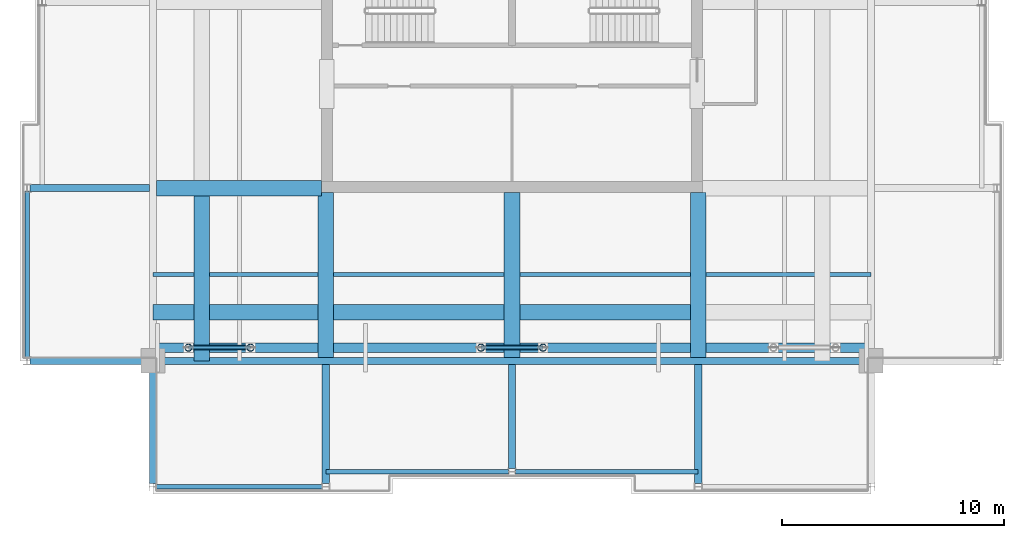
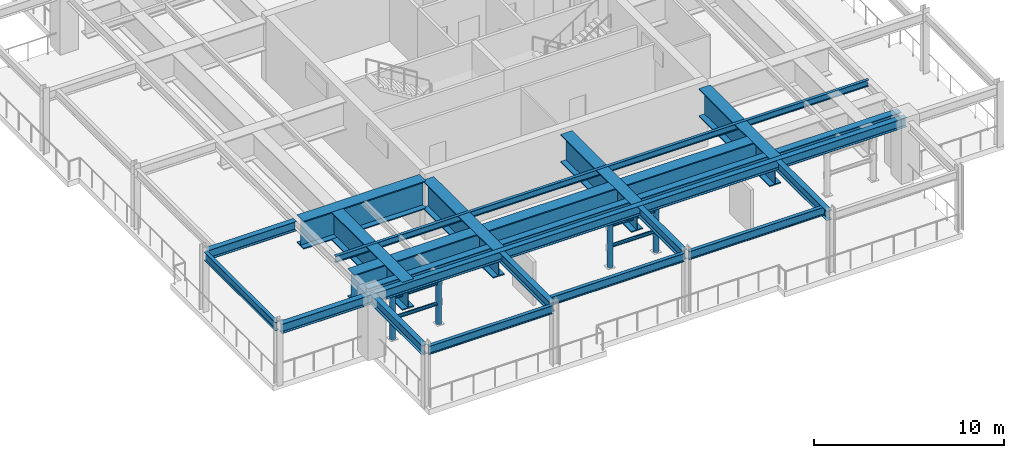
# One storey, part 4 of 12: 21 beams, 8 members.
"""IFC4 building model written with IfcOpenShell, lengths in metres."""

from ifc_helpers import new_model, si_unit, direction, frame, origin, origin_2d, place, context, subcontext, project, spatial, hollow_circle, i_section, extrude, material, material_profile, profile_set, type_object, element, save


model = new_model("IFC4")

# Units and contexts
model_context = context("Model", 3, precision=1e-05, world=origin(), true_north=direction((0.0, 1.0)))
body_context = subcontext(model_context, "Body", "Model", "MODEL_VIEW")
ifc_project = project(units=[si_unit("LENGTHUNIT", "METRE"), si_unit("AREAUNIT", "SQUARE_METRE"), si_unit("VOLUMEUNIT", "CUBIC_METRE"), si_unit("PLANEANGLEUNIT", "RADIAN"), si_unit("MASSUNIT", "GRAM", prefix="KILO")], contexts=[model_context])

# Site, building, storey
site_placement = place(None, origin())
site = spatial("IfcSite", under=ifc_project, at=site_placement, CompositionType="ELEMENT")
building_placement = place(site_placement, origin())
building = spatial("IfcBuilding", under=site, at=building_placement, Name="Drelvath Grand Hotel", CompositionType="ELEMENT")
storey_placement = place(building_placement, frame((0.0, 0.0, 307.199951171875)))
storey = spatial("IfcBuildingStorey", under=building, at=storey_placement, Name="L80", CompositionType="ELEMENT", Elevation=307.199951171875)

# Beams
ifc_material_1 = material(Name="Steel ASTM A572 Gr 50", Category="steel")
ifc_material_profile_1 = material_profile(ifc_material_1, i_section(OverallWidth=0.699951171875, OverallDepth=1.800048828125, WebThickness=0.035888671875, FlangeThickness=0.06494140625, at=origin_2d()), Name="PG1800X700")
ifc_profile_set_1 = profile_set([ifc_material_profile_1], Name="Steel ASTM A572 Gr 50")
beam_type_1 = type_object("IfcBeamType", Name="Built-Up Transfer Girder PG1800X700", PredefinedType="BEAM", material=ifc_profile_set_1)
for number, where, z_axis, x_axis, name in (
    (1, (-14.0, 10.800048828125, 2.97998046875), (0.0, 1.0, 0.0), (-1.0, 0.0, 0.0), "L80 Crown Drum Transfer Girder West 1"),
    (2, (-16.199951171875, 13.0, 2.97998046875), (1.0, 0.0, 0.0), (0.0, 1.0, 0.0), "L80 Crown Drum Transfer Girder South 1"),
):
    element("IfcBeam", number, at=place(storey_placement, frame(where, z_axis=z_axis, x_axis=x_axis)), inside=storey, type_object=beam_type_1, Name=name, PredefinedType="BEAM", context=body_context, shape_type="SweptSolid", body=[
        extrude(i_section(OverallWidth=0.699951171875, OverallDepth=1.800048828125, WebThickness=0.035888671875, FlangeThickness=0.06494140625, at=origin_2d()), origin(), (0.0, 0.0, 1.0), 7.800048828125),
    ])
for number, where, z_axis, x_axis, name in (
    (3, (-8.39990234375, 13.0, 2.97998046875), (1.0, 0.0, 0.0), (0.0, 1.0, 0.0), "L80 Crown Drum Transfer Girder South 2"),
    (4, (0.0, 13.0, 2.97998046875), (1.0, 0.0, 0.0), (0.0, 1.0, 0.0), "L80 Crown Drum Transfer Girder South 3"),
):
    element("IfcBeam", number, at=place(storey_placement, frame(where, z_axis=z_axis, x_axis=x_axis)), inside=storey, type_object=beam_type_1, Name=name, PredefinedType="BEAM", context=body_context, shape_type="SweptSolid", body=[
        extrude(i_section(OverallWidth=0.699951171875, OverallDepth=1.800048828125, WebThickness=0.035888671875, FlangeThickness=0.06494140625, at=origin_2d()), origin(), (0.0, 0.0, 1.0), 8.39990234375),
    ])
for number, where, z_axis, x_axis, name in (
    (5, (-16.0380859375, 18.60009765625, 2.97998046875), (1.0, 0.0, 0.0), (0.0, 1.0, 0.0), "L80 Drum Cross Transfer West D"),
    (6, (-8.39990234375, 10.9619140625, 2.97998046875), (0.0, 1.0, 0.0), (-1.0, 0.0, 0.0), "L80 Drum Cross Transfer South 4"),
    (7, (0.0, 10.9619140625, 2.97998046875), (0.0, 1.0, 0.0), (-1.0, 0.0, 0.0), "L80 Drum Cross Transfer South 5"),
    (8, (8.39990234375, 10.9619140625, 2.97998046875), (0.0, 1.0, 0.0), (-1.0, 0.0, 0.0), "L80 Drum Cross Transfer South 6"),
):
    element("IfcBeam", number, at=place(storey_placement, frame(where, z_axis=z_axis, x_axis=x_axis)), inside=storey, type_object=beam_type_1, Name=name, PredefinedType="BEAM", context=body_context, shape_type="SweptSolid", body=[
        extrude(i_section(OverallWidth=0.699951171875, OverallDepth=1.800048828125, WebThickness=0.035888671875, FlangeThickness=0.06494140625, at=origin_2d()), origin(), (0.0, 0.0, 1.0), 7.43798828125),
    ])
ifc_material_2 = material(Name="Steel ASTM A992 Gr 50", Category="steel")
ifc_material_profile_2 = material_profile(ifc_material_2, i_section(OverallWidth=0.177734375, OverallDepth=0.40673828125, WebThickness=0.0078125, FlangeThickness=0.0126953125, FilletRadius=0.014892578125, at=origin_2d()), Name="W16X40")
ifc_profile_set_2 = profile_set([ifc_material_profile_2], Name="Steel ASTM A992 Gr 50")
beam_type_2 = type_object("IfcBeamType", Name="Composite Floor Joist W16X40", PredefinedType="JOIST", material=ifc_profile_set_2)
beam_1_placement = place(storey_placement, frame((-16.199951171875, 14.699951171875, 3.6767578125), z_axis=(1.0, 0.0, 0.0), x_axis=(0.0, 1.0, 0.0)))
element("IfcBeam", 9, at=beam_1_placement, inside=storey, type_object=beam_type_2, Name="L80 Floor Joist J1", PredefinedType="JOIST", context=body_context, shape_type="SweptSolid", body=[
    extrude(i_section(OverallWidth=0.177734375, OverallDepth=0.40673828125, WebThickness=0.0078125, FlangeThickness=0.0126953125, FilletRadius=0.014892578125, at=origin_2d()), origin(), (0.0, 0.0, 1.0), 32.39990234375),
])
ifc_material_profile_3 = material_profile(ifc_material_2, i_section(OverallWidth=0.210205078125, OverallDepth=0.53662109375, WebThickness=0.010986328125, FlangeThickness=0.017333984375, FilletRadius=0.01806640625, at=origin_2d()), Name="W21X68")
ifc_profile_set_3 = profile_set([ifc_material_profile_3], Name="Steel ASTM A992 Gr 50")
beam_type_3 = type_object("IfcBeamType", Name="Perimeter Spandrel Beam W21X68", PredefinedType="SPANDREL", material=ifc_profile_set_3)
for number, where, z_axis, x_axis, name in (
    (10, (-21.8798828125, 10.93994140625, 3.611572265625), (0.0, 1.0, 0.0), (-1.0, 0.0, 0.0), "L80 Spandrel West S"),
    (11, (-16.06005859375, 5.1201171875, 3.611572265625), (1.0, 0.0, 0.0), (0.0, 1.0, 0.0), "L80 Spandrel South W"),
):
    element("IfcBeam", number, at=place(storey_placement, frame(where, z_axis=z_axis, x_axis=x_axis)), inside=storey, type_object=beam_type_3, Name=name, PredefinedType="SPANDREL", context=body_context, shape_type="SweptSolid", body=[
        extrude(i_section(OverallWidth=0.210205078125, OverallDepth=0.53662109375, WebThickness=0.010986328125, FlangeThickness=0.017333984375, FilletRadius=0.01806640625, at=origin_2d()), origin(), (0.0, 0.0, 1.0), 7.52001953125),
    ])
for number, where, z_axis, x_axis, name in (
    (12, (-8.39990234375, 5.800048828125, 3.611572265625), (1.0, 0.0, 0.0), (0.0, 1.0, 0.0), "L80 Spandrel South Mid W"),
    (13, (0.139892578125, 5.800048828125, 3.611572265625), (1.0, 0.0, 0.0), (0.0, 1.0, 0.0), "L80 Spandrel South Mid E"),
):
    element("IfcBeam", number, at=place(storey_placement, frame(where, z_axis=z_axis, x_axis=x_axis)), inside=storey, type_object=beam_type_3, Name=name, PredefinedType="SPANDREL", context=body_context, shape_type="SweptSolid", body=[
        extrude(i_section(OverallWidth=0.210205078125, OverallDepth=0.53662109375, WebThickness=0.010986328125, FlangeThickness=0.017333984375, FilletRadius=0.01806640625, at=origin_2d()), origin(), (0.0, 0.0, 1.0), 8.260009765625),
    ])
ifc_material_profile_4 = material_profile(ifc_material_2, i_section(OverallWidth=0.323974609375, OverallDepth=0.611083984375, WebThickness=0.0126953125, FlangeThickness=0.01904296875, FilletRadius=0.02197265625, at=origin_2d()), Name="W24X104")
ifc_profile_set_4 = profile_set([ifc_material_profile_4], Name="Steel ASTM A992 Gr 50")
beam_type_4 = type_object("IfcBeamType", Name="Primary Floor Girder W24X104", PredefinedType="BEAM", material=ifc_profile_set_4)
beam_2_placement = place(storey_placement, frame((-16.199951171875, 10.800048828125, 3.574462890625), z_axis=(1.0, 0.0, 0.0), x_axis=(0.0, 1.0, 0.0)))
element("IfcBeam", 14, at=beam_2_placement, inside=storey, type_object=beam_type_4, Name="L80 Mega Ring Girder South", PredefinedType="BEAM", context=body_context, shape_type="SweptSolid", body=[
    extrude(i_section(OverallWidth=0.323974609375, OverallDepth=0.611083984375, WebThickness=0.0126953125, FlangeThickness=0.01904296875, FilletRadius=0.02197265625, at=origin_2d()), origin(), (0.0, 0.0, 1.0), 32.39990234375),
])
beam_3_placement = place(storey_placement, frame((-21.739990234375, 10.800048828125, 3.574462890625), z_axis=(1.0, 0.0, 0.0), x_axis=(0.0, 1.0, 0.0)))
element("IfcBeam", 15, at=beam_3_placement, inside=storey, type_object=beam_type_4, Name="L80 West Grid Girder C", PredefinedType="BEAM", context=body_context, shape_type="SweptSolid", body=[
    extrude(i_section(OverallWidth=0.323974609375, OverallDepth=0.611083984375, WebThickness=0.0126953125, FlangeThickness=0.01904296875, FilletRadius=0.02197265625, at=origin_2d()), origin(), (0.0, 0.0, 1.0), 5.5400390625),
])
beam_4_placement = place(storey_placement, frame((-21.739990234375, 18.60009765625, 3.574462890625), z_axis=(1.0, 0.0, 0.0), x_axis=(0.0, 1.0, 0.0)))
element("IfcBeam", 16, at=beam_4_placement, inside=storey, type_object=beam_type_4, Name="L80 West Wing Girder D", PredefinedType="BEAM", context=body_context, shape_type="SweptSolid", body=[
    extrude(i_section(OverallWidth=0.323974609375, OverallDepth=0.611083984375, WebThickness=0.0126953125, FlangeThickness=0.01904296875, FilletRadius=0.02197265625, at=origin_2d()), origin(), (0.0, 0.0, 1.0), 5.3779296875),
])
beam_5_placement = place(storey_placement, frame((-16.199951171875, 5.260009765625, 3.574462890625), z_axis=(0.0, 1.0, 0.0), x_axis=(-1.0, 0.0, 0.0)))
element("IfcBeam", 17, at=beam_5_placement, inside=storey, type_object=beam_type_4, Name="L80 South Grid Girder 3", PredefinedType="BEAM", context=body_context, shape_type="SweptSolid", body=[
    extrude(i_section(OverallWidth=0.323974609375, OverallDepth=0.611083984375, WebThickness=0.0126953125, FlangeThickness=0.01904296875, FilletRadius=0.02197265625, at=origin_2d()), origin(), (0.0, 0.0, 1.0), 5.5400390625),
])
beam_6_placement = place(storey_placement, frame((-8.39990234375, 5.260009765625, 3.574462890625), z_axis=(0.0, 1.0, 0.0), x_axis=(-1.0, 0.0, 0.0)))
element("IfcBeam", 18, at=beam_6_placement, inside=storey, type_object=beam_type_4, Name="L80 South Wing Girder 4", PredefinedType="BEAM", context=body_context, shape_type="SweptSolid", body=[
    extrude(i_section(OverallWidth=0.323974609375, OverallDepth=0.611083984375, WebThickness=0.0126953125, FlangeThickness=0.01904296875, FilletRadius=0.02197265625, at=origin_2d()), origin(), (0.0, 0.0, 1.0), 5.3779296875),
])
beam_7_placement = place(storey_placement, frame((0.0, 5.93994140625, 3.574462890625), z_axis=(0.0, 1.0, 0.0), x_axis=(-1.0, 0.0, 0.0)))
element("IfcBeam", 19, at=beam_7_placement, inside=storey, type_object=beam_type_4, Name="L80 South Wing Girder 5", PredefinedType="BEAM", context=body_context, shape_type="SweptSolid", body=[
    extrude(i_section(OverallWidth=0.323974609375, OverallDepth=0.611083984375, WebThickness=0.0126953125, FlangeThickness=0.01904296875, FilletRadius=0.02197265625, at=origin_2d()), origin(), (0.0, 0.0, 1.0), 4.697998046875),
])
beam_8_placement = place(storey_placement, frame((8.39990234375, 5.260009765625, 3.574462890625), z_axis=(0.0, 1.0, 0.0), x_axis=(-1.0, 0.0, 0.0)))
element("IfcBeam", 20, at=beam_8_placement, inside=storey, type_object=beam_type_4, Name="L80 South Wing Girder 6", PredefinedType="BEAM", context=body_context, shape_type="SweptSolid", body=[
    extrude(i_section(OverallWidth=0.323974609375, OverallDepth=0.611083984375, WebThickness=0.0126953125, FlangeThickness=0.01904296875, FilletRadius=0.02197265625, at=origin_2d()), origin(), (0.0, 0.0, 1.0), 5.3779296875),
])
ifc_material_profile_5 = material_profile(ifc_material_2, i_section(OverallWidth=0.418212890625, OverallDepth=0.926513671875, WebThickness=0.019287109375, FlangeThickness=0.031982421875, FilletRadius=0.028076171875, at=origin_2d()), Name="W36X231")
ifc_profile_set_5 = profile_set([ifc_material_profile_5], Name="Steel ASTM A992 Gr 50")
beam_type_5 = type_object("IfcBeamType", Name="Primary Floor Girder W36X231", PredefinedType="BEAM", material=ifc_profile_set_5)
beam_9_placement = place(storey_placement, frame((-16.199951171875, 11.39990234375, 3.416748046875), z_axis=(1.0, 0.0, 0.0), x_axis=(0.0, 1.0, 0.0)))
element("IfcBeam", 21, at=beam_9_placement, inside=storey, type_object=beam_type_5, Name="L80 Wind Turbine Support Girder", PredefinedType="BEAM", context=body_context, shape_type="SweptSolid", body=[
    extrude(i_section(OverallWidth=0.418212890625, OverallDepth=0.926513671875, WebThickness=0.019287109375, FlangeThickness=0.031982421875, FilletRadius=0.028076171875, at=origin_2d()), origin(), (0.0, 0.0, 1.0), 32.39990234375),
])

# Members
ifc_material_3 = material(Name="Steel ASTM A500 Gr C", Category="steel")
ifc_material_profile_6 = material_profile(ifc_material_3, hollow_circle(Radius=0.161865234375, WallThickness=0.015869140625, at=origin_2d()), Name="CHS324X16")
ifc_profile_set_6 = profile_set([ifc_material_profile_6], Name="Steel ASTM A500 Gr C")
member_type_1 = type_object("IfcMemberType", Name="Wind Turbine Pedestal Strut CHS324X16", PredefinedType="STRUT", material=ifc_profile_set_6)
for number, where, z_axis, x_axis, name in (
    (22, (-14.60009765625, 11.39990234375, 0.0), (0.0, 0.0, 1.0), (1.0, 0.0, 0.0), "L80 Wind Turbine Pedestal WT-1-L"),
    (23, (-11.800048828125, 11.39990234375, 0.0), (0.0, 0.0, 1.0), (1.0, 0.0, 0.0), "L80 Wind Turbine Pedestal WT-1-R"),
    (24, (-1.39990234375, 11.39990234375, 0.0), (0.0, 0.0, 1.0), (1.0, 0.0, 0.0), "L80 Wind Turbine Pedestal WT-2-L"),
    (25, (1.39990234375, 11.39990234375, 0.0), (0.0, 0.0, 1.0), (1.0, 0.0, 0.0), "L80 Wind Turbine Pedestal WT-2-R"),
):
    element("IfcMember", number, at=place(storey_placement, frame(where, z_axis=z_axis, x_axis=x_axis)), inside=storey, type_object=member_type_1, Name=name, PredefinedType="STRUT", context=body_context, shape_type="SweptSolid", body=[
        extrude(hollow_circle(Radius=0.161865234375, WallThickness=0.015869140625, at=origin_2d()), origin(), (0.0, 0.0, 1.0), 2.953369140625),
    ])
ifc_material_profile_7 = material_profile(ifc_material_3, hollow_circle(Radius=0.109619140625, WallThickness=0.0126953125, at=origin_2d()), Name="CHS219X13")
ifc_profile_set_7 = profile_set([ifc_material_profile_7], Name="Steel ASTM A500 Gr C")
member_type_2 = type_object("IfcMemberType", Name="Wind Turbine Shroud Ring CHS219X13", PredefinedType="STRUT", material=ifc_profile_set_7)
for number, where, z_axis, x_axis, name in (
    (26, (-14.60009765625, 11.39990234375, 2.633544921875), (1.0, 0.0, 0.0), (0.0, 1.0, 0.0), "L80 Wind Turbine Shroud Crossbar WT-1"),
    (27, (-14.60009765625, 11.39990234375, 1.316650390625), (1.0, 0.0, 0.0), (0.0, 1.0, 0.0), "L80 Wind Turbine Rotor Hub Beam WT-1"),
):
    element("IfcMember", number, at=place(storey_placement, frame(where, z_axis=z_axis, x_axis=x_axis)), inside=storey, type_object=member_type_2, Name=name, PredefinedType="STRUT", context=body_context, shape_type="SweptSolid", body=[
        extrude(hollow_circle(Radius=0.109619140625, WallThickness=0.0126953125, at=origin_2d()), origin(), (0.0, 0.0, 1.0), 2.800048828125),
    ])
for number, where, z_axis, x_axis, name in (
    (28, (-1.39990234375, 11.39990234375, 2.633544921875), (1.0, 0.0, 0.0), (0.0, 1.0, 0.0), "L80 Wind Turbine Shroud Crossbar WT-2"),
    (29, (-1.39990234375, 11.39990234375, 1.316650390625), (1.0, 0.0, 0.0), (0.0, 1.0, 0.0), "L80 Wind Turbine Rotor Hub Beam WT-2"),
):
    element("IfcMember", number, at=place(storey_placement, frame(where, z_axis=z_axis, x_axis=x_axis)), inside=storey, type_object=member_type_2, Name=name, PredefinedType="STRUT", context=body_context, shape_type="SweptSolid", body=[
        extrude(hollow_circle(Radius=0.109619140625, WallThickness=0.0126953125, at=origin_2d()), origin(), (0.0, 0.0, 1.0), 2.7998046875),
    ])

save(model, "model.ifc")
